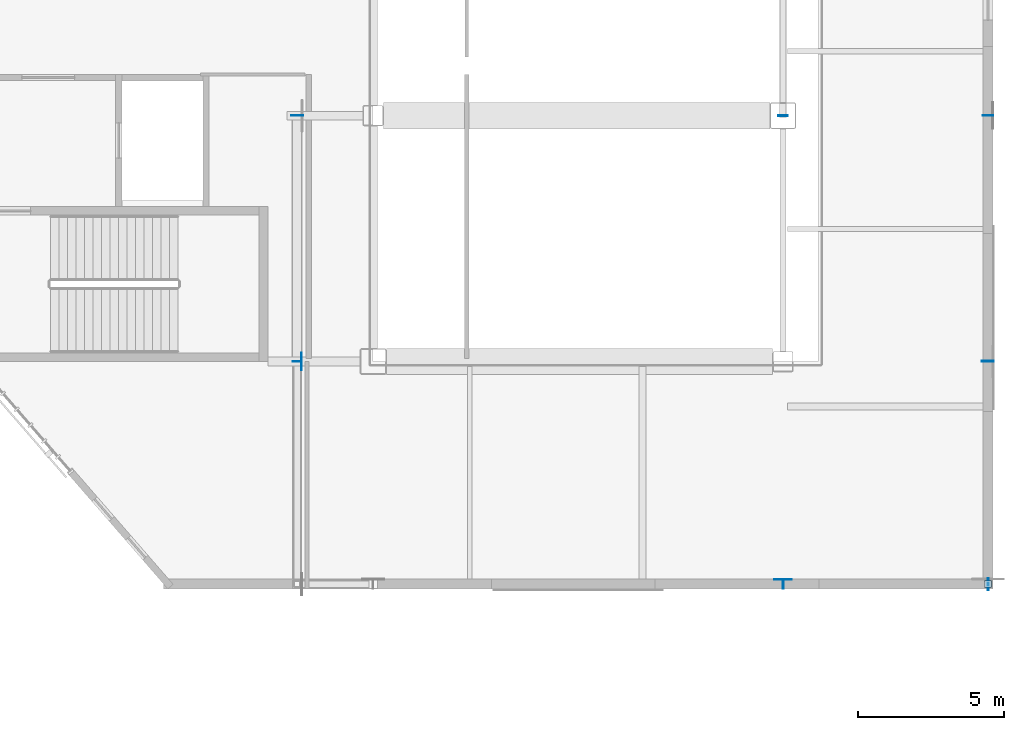
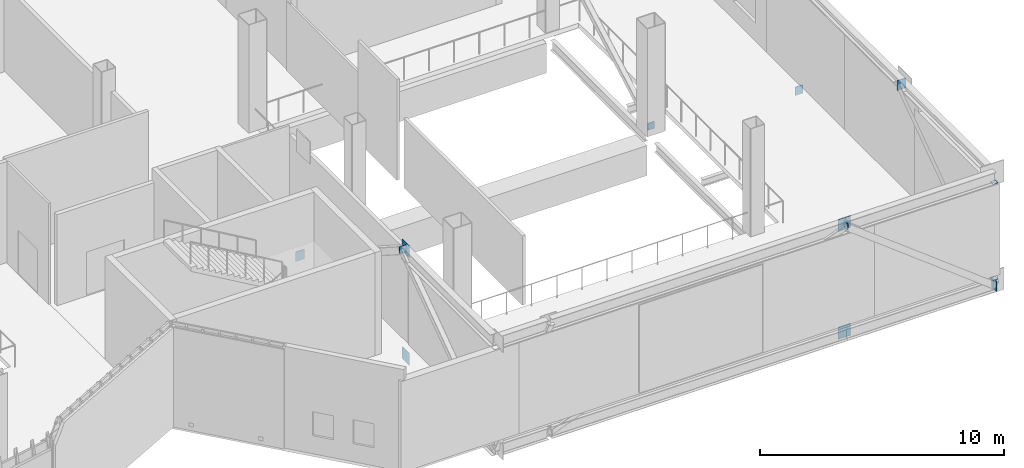
# One storey, part 91 of 127: 13 plates.
"""IFC4 building model written with IfcOpenShell, lengths in metres."""

from ifc_helpers import new_model, si_unit, direction, frame, origin, origin_2d, place, context, subcontext, project, spatial, rectangle, extrude, material, layer, layer_set, type_object, element, save


model = new_model("IFC4")

# Units and contexts
model_context = context("Model", 3, precision=1e-05, world=origin(), true_north=direction((0.0, 1.0)))
body_context = subcontext(model_context, "Body", "Model", "MODEL_VIEW")
ifc_project = project(units=[si_unit("LENGTHUNIT", "METRE"), si_unit("AREAUNIT", "SQUARE_METRE"), si_unit("VOLUMEUNIT", "CUBIC_METRE"), si_unit("PLANEANGLEUNIT", "RADIAN"), si_unit("MASSUNIT", "GRAM", prefix="KILO")], contexts=[model_context])

# Site, building, storey
site_placement = place(None, origin())
site = spatial("IfcSite", under=ifc_project, at=site_placement, CompositionType="ELEMENT")
building_placement = place(site_placement, origin())
building = spatial("IfcBuilding", under=site, at=building_placement, Name="Larkvane Passage Sports Hall", CompositionType="ELEMENT")
storey_placement = place(building_placement, frame((0.0, 0.0, 5.39990234375)))
storey = spatial("IfcBuildingStorey", under=building, at=storey_placement, Name="L01", CompositionType="ELEMENT", Elevation=5.39990234375)

# Plates
ifc_material_1 = material(Name="Steel S355JR", Category="steel")
ifc_layer_1 = layer(ifc_material_1, 0.011962890625)
ifc_layer_set_1 = layer_set([ifc_layer_1], Name="Steel S355JR")
plate_type_1 = type_object("IfcPlateType", Name="PLT-CAP-12", PredefinedType="SHEET", material=ifc_layer_set_1)
plate_1_placement = place(storey_placement, frame((145.605712890625, 15.199951171875, 4.6943359375), z_axis=(0.0, 0.0, 1.0), x_axis=(0.0, 1.0, 0.0)))
element("IfcPlate", 1, at=plate_1_placement, inside=storey, type_object=plate_type_1, Name="Hollow section sealed end cap plate 0159", PredefinedType="SHEET", context=body_context, shape_type="SweptSolid", body=[
    extrude(rectangle(XDim=0.31005859375, YDim=0.028076171875, at=origin_2d()), origin(), (0.0, 0.0, 1.0), 0.327880859375),
])
for number, where, z_axis, x_axis, name in (
    (2, (152.60009765625, 15.199951171875, -0.24169921875), (0.0, 0.0, 1.0), (1.0, 0.0, 0.0), "Hollow section sealed end cap plate 0161"),
    (3, (152.60009765625, 15.199951171875, 4.56201171875), (0.0, 0.0, 1.0), (1.0, 0.0, 0.0), "Hollow section sealed end cap plate 0162"),
):
    element("IfcPlate", number, at=place(storey_placement, frame(where, z_axis=z_axis, x_axis=x_axis)), inside=storey, type_object=plate_type_1, Name=name, PredefinedType="SHEET", context=body_context, shape_type="SweptSolid", body=[
        extrude(rectangle(XDim=0.239990234375, YDim=0.239990234375, at=origin_2d()), origin(), (0.0, 0.0, 1.0), 0.011962890625),
    ])
plate_2_placement = place(storey_placement, frame((129.0, 22.804931640625, 4.6767578125), z_axis=(0.0, 0.0, 1.0), x_axis=(-1.0, 0.0, 0.0)))
element("IfcPlate", 4, at=plate_2_placement, inside=storey, type_object=plate_type_1, Name="Hollow section sealed end cap plate 0200", PredefinedType="SHEET", context=body_context, shape_type="SweptSolid", body=[
    extrude(rectangle(XDim=0.31005859375, YDim=0.028076171875, at=origin_2d()), origin(), (0.0, 0.0, 1.0), 0.365966796875),
])
plate_3_placement = place(storey_placement, frame((145.60009765625, 31.19482421875, -0.02587890625), z_axis=(0.0, 0.0, 1.0), x_axis=(-1.0, 0.0, 0.0)))
element("IfcPlate", 5, at=plate_3_placement, inside=storey, type_object=plate_type_1, Name="Hollow section sealed end cap plate 0582", PredefinedType="SHEET", context=body_context, shape_type="SweptSolid", body=[
    extrude(rectangle(XDim=0.31005859375, YDim=0.028076171875, at=origin_2d()), origin(), (0.0, 0.0, 1.0), 0.345947265625),
])
ifc_material_2 = material(Name="Steel S460N", Category="steel")
ifc_layer_2 = layer(ifc_material_2, 0.02001953125)
ifc_layer_set_2 = layer_set([ifc_layer_2], Name="Steel S460N")
plate_type_2 = type_object("IfcPlateType", Name="PLT-CAP-20", PredefinedType="SHEET", material=ifc_layer_set_2)
plate_4_placement = place(storey_placement, frame((152.60791015625, 15.199951171875, -0.780517578125), z_axis=(0.0, 0.0, 1.0), x_axis=(0.0, 1.0, 0.0)))
element("IfcPlate", 6, at=plate_4_placement, inside=storey, type_object=plate_type_2, Name="Hollow section sealed end cap plate 0160", PredefinedType="SHEET", context=body_context, shape_type="SweptSolid", body=[
    extrude(rectangle(XDim=0.409912109375, YDim=0.028076171875, at=origin_2d()), origin(), (0.0, 0.0, 1.0), 0.5009765625),
])
plate_5_placement = place(storey_placement, frame((129.0, 31.20849609375, -0.767333984375), z_axis=(0.0, 0.0, 1.0), x_axis=(-1.0, 0.0, 0.0)))
element("IfcPlate", 7, at=plate_5_placement, inside=storey, type_object=plate_type_2, Name="Hollow section sealed end cap plate 0201", PredefinedType="SHEET", context=body_context, shape_type="SweptSolid", body=[
    extrude(rectangle(XDim=0.409912109375, YDim=0.028076171875, at=origin_2d()), origin(), (0.0, 0.0, 1.0), 0.47607421875),
])
plate_6_placement = place(storey_placement, frame((152.60009765625, 22.80810546875, 4.6171875), z_axis=(0.0, 0.0, 1.0), x_axis=(-1.0, 0.0, 0.0)))
element("IfcPlate", 8, at=plate_6_placement, inside=storey, type_object=plate_type_2, Name="Hollow section sealed end cap plate 0204", PredefinedType="SHEET", context=body_context, shape_type="SweptSolid", body=[
    extrude(rectangle(XDim=0.409912109375, YDim=0.028076171875, at=origin_2d()), origin(), (0.0, 0.0, 1.0), 0.489013671875),
])
plate_7_placement = place(storey_placement, frame((152.60009765625, 31.20849609375, -0.7373046875), z_axis=(0.0, 0.0, 1.0), x_axis=(-1.0, 0.0, 0.0)))
element("IfcPlate", 9, at=plate_7_placement, inside=storey, type_object=plate_type_2, Name="Hollow section sealed end cap plate 0205", PredefinedType="SHEET", context=body_context, shape_type="SweptSolid", body=[
    extrude(rectangle(XDim=0.360107421875, YDim=0.028076171875, at=origin_2d()), origin(), (0.0, 0.0, 1.0), 0.416015625),
])
ifc_layer_3 = layer(ifc_material_2, 0.01611328125)
ifc_layer_set_3 = layer_set([ifc_layer_3], Name="Steel S460N")
plate_type_3 = type_object("IfcPlateType", Name="PLT-GUS-16", PredefinedType="USERDEFINED", material=ifc_layer_set_3)
for number, where, z_axis, x_axis, name in (
    (10, (145.60009765625, 15.35791015625, -0.823974609375), (0.0, 0.0, 1.0), (1.0, 0.0, 0.0), "Truss node gusset plate ND-2B (CT-E1A-1)"),
    (11, (145.60009765625, 15.35791015625, 4.55615234375), (0.0, 0.0, 1.0), (1.0, 0.0, 0.0), "Truss node gusset plate ND-2T (CT-E1A-1)"),
    (12, (129.157958984375, 22.800048828125, -0.823974609375), (0.0, 0.0, 1.0), (0.0, 1.0, 0.0), "Truss node gusset plate ND-2B (CT-S1A-1)"),
    (13, (129.157958984375, 22.800048828125, 4.55615234375), (0.0, 0.0, 1.0), (0.0, 1.0, 0.0), "Truss node gusset plate ND-2T (CT-S1A-1)"),
):
    element("IfcPlate", number, at=place(storey_placement, frame(where, z_axis=z_axis, x_axis=x_axis)), inside=storey, type_object=plate_type_3, Name=name, ObjectType="GUSSET PLATE", PredefinedType="USERDEFINED", context=body_context, shape_type="SweptSolid", body=[
        extrude(rectangle(XDim=0.60009765625, YDim=0.01611328125, at=origin_2d()), origin(), (0.0, 0.0, 1.0), 0.60009765625),
    ])

save(model, "model.ifc")
